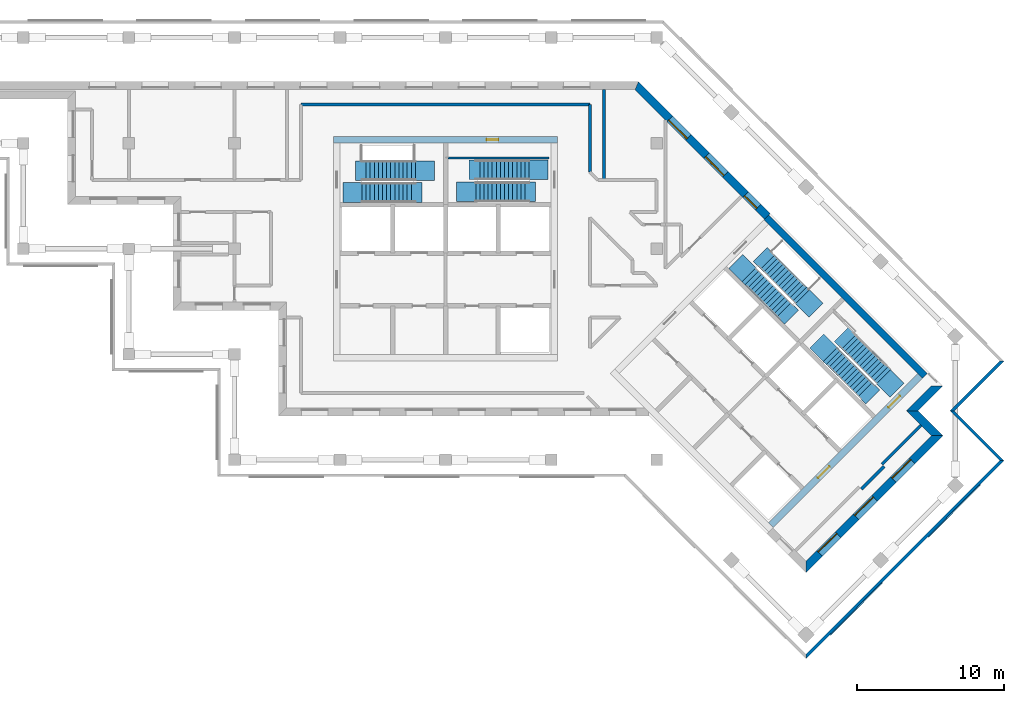
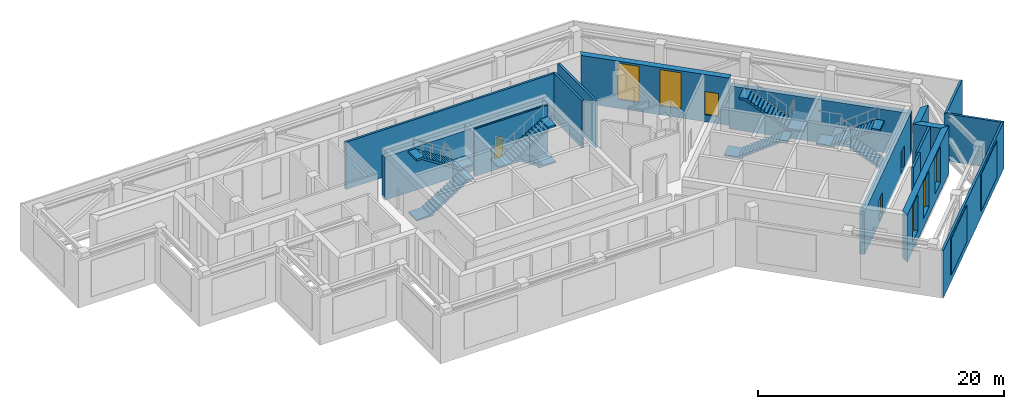
# One storey, part 6 of 9: 16 walls, 8 stair flights, 6 windows, 3 doors, 2 plates, 9 openings, 4 elements without a shape of their own.
"""IFC4 building model written with IfcOpenShell, lengths in metres."""

from ifc_helpers import new_model, si_unit, direction, frame, frame_2d, origin, place, context, subcontext, project, spatial, polyline, rectangle, outline, extrude, material, layer, layer_set, type_object, element, fill, aggregate, save


model = new_model("IFC4")

# Units and contexts
model_context = context("Model", 3, precision=1e-05, world=origin(), true_north=direction((0.0, 1.0)))
body_context = subcontext(model_context, "Body", "Model", "MODEL_VIEW")
ifc_project = project(units=[si_unit("LENGTHUNIT", "METRE"), si_unit("AREAUNIT", "SQUARE_METRE"), si_unit("VOLUMEUNIT", "CUBIC_METRE"), si_unit("PLANEANGLEUNIT", "RADIAN"), si_unit("MASSUNIT", "GRAM", prefix="KILO")], contexts=[model_context])

# Plate
ifc_material_1 = material(Name="Aluminium louvre", Category="aluminium")
ifc_layer_1 = layer(ifc_material_1, 0.05)
ifc_layer_set_1 = layer_set([ifc_layer_1], Name="Belt louvre panel 5000x3600")
plate_type = type_object("IfcPlateType", Name="Belt louvre panel 5000x3600", PredefinedType="SHEET", material=ifc_layer_set_1)
site_placement = place(None, origin())
building_placement = place(site_placement, origin())
storey_placement = place(building_placement, frame((0.0, 0.0, 234.6)))
plate_1_placement = place(storey_placement, frame((91.0617, 31.253, 0.75), z_axis=(0.7070967812, -0.7071167811, 0.0), x_axis=(0.7071167811, 0.7070967812, 0.0)))
plate_1 = element("IfcPlate", 1, at=plate_1_placement, type_object=plate_type, Name="Belt louvre panel L64 76.1", PredefinedType="SHEET", context=body_context, shape_type="SweptSolid", body=[
    extrude(outline(polyline([(0.0, 0.0), (5.0, 0.0), (5.0, 3.6), (0.0, 3.6), (0.0, 0.0)])), origin(), (0.0, 0.0, -1.0), 0.05),
])

plate_2_placement = place(storey_placement, frame((97.7439, 37.9351, 0.75), z_axis=(0.7071167811, -0.7070967812, 0.0), x_axis=(0.7070967812, 0.7071167811, 0.0)))
plate_2 = element("IfcPlate", 2, at=plate_2_placement, type_object=plate_type, Name="Belt louvre panel L64 77.2", PredefinedType="SHEET", context=body_context, shape_type="SweptSolid", body=[
    extrude(outline(polyline([(0.0, 0.0), (5.0, 0.0), (5.0, 3.6), (0.0, 3.6), (0.0, 0.0)])), origin(), (0.0, 0.0, -1.0), 0.05),
])

# Site, building, storey
site = spatial("IfcSite", under=ifc_project, at=site_placement, CompositionType="ELEMENT")
building = spatial("IfcBuilding", under=site, at=building_placement, Name="Windrow Commons", CompositionType="ELEMENT")
storey = spatial("IfcBuildingStorey", under=building, at=storey_placement, Name="L64", CompositionType="ELEMENT", Elevation=234.6)

# Walls
ifc_material_2 = material(Name="Concrete C40/50 precast screen panel", Category="concrete")
ifc_layer_2 = layer(ifc_material_2, 0.2)
ifc_layer_set_2 = layer_set([ifc_layer_2], Name="Belt screen wall 200")
wall_type_1 = type_object("IfcWallType", Name="Belt screen wall 200", PredefinedType="SOLIDWALL", material=ifc_layer_set_2)
wall_1_placement = place(storey_placement, frame((102.7467, 43.15, 0.0), z_axis=(0.0, 0.0, 1.0), x_axis=(-0.7071067812, 0.7071067812, 0.0)))
element("IfcWall", 3, at=wall_1_placement, inside=storey, type_object=wall_type_1, Name="Belt screen wall L64 2", PredefinedType="SOLIDWALL", context=body_context, shape_type="SweptSolid", body=[
    extrude(outline(polyline([(-0.1, -0.1), (4.7, -0.1), (4.9, 0.1), (0.1, 0.1), (-0.1, -0.1)])), origin(), (0.0, 0.0, 1.0), 4.7),
])
wall_2_placement = place(storey_placement, frame((99.3525, 46.5442, 0.0), z_axis=(0.0, 0.0, 1.0), x_axis=(0.7071171977, 0.7070963646, 0.0)))
element("IfcWall", 4, at=wall_2_placement, inside=storey, type_object=wall_type_1, Name="Belt screen wall L64 4", PredefinedType="SOLIDWALL", context=body_context, shape_type="SweptSolid", body=[
    extrude(outline(polyline([(0.1, -0.1), (4.9, -0.1), (4.7, 0.1), (-0.1, 0.1), (0.1, -0.1)])), origin(), (0.0, 0.0, 1.0), 4.7),
])

# Wall
wall_3_placement = place(storey_placement, frame((89.3823, 29.7857, 0.0), z_axis=(0.0, 0.0, 1.0), x_axis=(0.7071094267, 0.7071041357, 0.0)))
wall_3 = element("IfcWall", 5, at=wall_3_placement, inside=storey, type_object=wall_type_1, Name="Belt screen wall L64 76", PredefinedType="SOLIDWALL", context=body_context, shape_type="SweptSolid", body=[
    extrude(outline(polyline([(-0.1, -0.1), (19.0, -0.1), (18.8, 0.1), (0.1, 0.1), (-0.1, -0.1)])), origin(), (0.0, 0.0, 1.0), 4.7),
])

aggregate(wall_3, [plate_1, plate_2])

# Walls
ifc_material_3 = material(Name="Brick masonry, red clay brick", Category="masonry")
ifc_layer_3 = layer(ifc_material_3, 0.55)
ifc_layer_set_3 = layer_set([ifc_layer_3], Name="Brick facade wall 550")
wall_type_2 = type_object("IfcWallType", Name="Brick facade wall 550", PredefinedType="SOLIDWALL", material=ifc_layer_set_3)
wall_4_placement = place(storey_placement, frame((98.3272, 44.8471, 0.0), z_axis=(0.0, 0.0, 1.0), x_axis=(-0.7070859475, 0.7071276143, 0.0)))
element("IfcWall", 6, at=wall_4_placement, inside=storey, type_object=wall_type_2, Name="Brick facade wall L64 1", PredefinedType="SOLIDWALL", context=body_context, shape_type="SweptSolid", body=[
    extrude(outline(polyline([(-0.275, -0.275), (2.125, -0.275), (2.675, 0.275), (0.275, 0.275), (-0.275, -0.275)])), origin(), (0.0, 0.0, 1.0), 4.7),
])
wall_5_placement = place(storey_placement, frame((96.6302, 46.5442, 0.0), z_axis=(0.0, 0.0, 1.0), x_axis=(0.7071067812, 0.7071067812, 0.0)))
element("IfcWall", 7, at=wall_5_placement, inside=storey, type_object=wall_type_2, Name="Brick facade wall L64 2", PredefinedType="SOLIDWALL", context=body_context, shape_type="SweptSolid", body=[
    extrude(outline(polyline([(0.275, -0.275), (2.6749, -0.275), (2.1249, 0.275), (-0.275, 0.275), (0.275, -0.275)])), origin(), (0.0, 0.0, 1.0), 4.7),
])

# Wall, openings, windows
wall_6_placement = place(storey_placement, frame((86.7484, 59.8201, 0.0), z_axis=(0.0, 0.0, 1.0), x_axis=(-0.7071067812, 0.7071067812, 0.0)))
wall_6 = element("IfcWall", 8, at=wall_6_placement, inside=storey, type_object=wall_type_2, Name="Brick facade wall L64 3", PredefinedType="SOLIDWALL", context=body_context, shape_type="SweptSolid", body=[
    extrude(outline(polyline([(0.0, -0.275), (12.7073, -0.275), (12.4795, 0.275), (0.0, 0.275), (0.0, -0.275)])), origin(), (0.0, 0.0, 1.0), 4.7),
])
opening_1_placement = place(wall_6_placement, frame((4.05, 0.0, 0.9)))
opening_1 = element("IfcOpeningElement", 9, at=opening_1_placement, cuts=wall_6, Name="Opening LV2", PredefinedType="OPENING", context=body_context, shape_type="SweptSolid", body=[
    extrude(rectangle(XDim=1.8, YDim=3.6, at=frame_2d((0.9, 1.8))), frame((0.0, 0.285, 0.0), z_axis=(0.0, -1.0, 0.0), x_axis=(1.0, 0.0, 0.0)), (0.0, 0.0, 1.0), 0.57),
])
opening_2_placement = place(wall_6_placement, frame((7.6, 0.0, 0.9)))
opening_2 = element("IfcOpeningElement", 10, at=opening_2_placement, cuts=wall_6, Name="Opening LV2", PredefinedType="OPENING", context=body_context, shape_type="SweptSolid", body=[
    extrude(rectangle(XDim=1.8, YDim=3.6, at=frame_2d((0.9, 1.8))), frame((0.0, 0.285, 0.0), z_axis=(0.0, -1.0, 0.0), x_axis=(1.0, 0.0, 0.0)), (0.0, 0.0, 1.0), 0.57),
])
opening_3_placement = place(wall_6_placement, frame((0.8881, 0.0, 0.7)))
opening_3 = element("IfcOpeningElement", 11, at=opening_3_placement, cuts=wall_6, Name="Opening W7C", PredefinedType="OPENING", context=body_context, shape_type="SweptSolid", body=[
    extrude(rectangle(XDim=1.2, YDim=2.3, at=frame_2d((0.6, 1.15))), frame((0.0, 0.285, 0.0), z_axis=(0.0, -1.0, 0.0), x_axis=(1.0, 0.0, 0.0)), (0.0, 0.0, 1.0), 0.57),
])
ifc_material_4 = material(Name="Aluminium 6063-T6 anodised louvre", Category="aluminium")
window_type_1 = type_object("IfcWindowType", Name="Plant louvre 1800x3600", PartitioningType="SINGLE_PANEL", PredefinedType="WINDOW", material=ifc_material_4)
window_1_placement = place(opening_1_placement, origin())
window_1 = element("IfcWindow", 12, at=window_1_placement, inside=storey, type_object=window_type_1, Name="Louvre L64 3.2", OverallHeight=3.6, OverallWidth=1.8, PartitioningType="SINGLE_PANEL", PredefinedType="WINDOW", context=body_context, shape_type="SweptSolid", body=[
    extrude(rectangle(XDim=1.8, YDim=3.6, at=frame_2d((0.9, 1.8))), frame((0.0, 0.155, 0.0), z_axis=(0.0, -1.0, 0.0), x_axis=(1.0, 0.0, 0.0)), (0.0, 0.0, 1.0), 0.06),
])
fill(opening_1, window_1)
window_2_placement = place(opening_2_placement, origin())
window_2 = element("IfcWindow", 13, at=window_2_placement, inside=storey, type_object=window_type_1, Name="Louvre L64 3.3", OverallHeight=3.6, OverallWidth=1.8, PartitioningType="SINGLE_PANEL", PredefinedType="WINDOW", context=body_context, shape_type="SweptSolid", body=[
    extrude(rectangle(XDim=1.8, YDim=3.6, at=frame_2d((0.9, 1.8))), frame((0.0, 0.155, 0.0), z_axis=(0.0, -1.0, 0.0), x_axis=(1.0, 0.0, 0.0)), (0.0, 0.0, 1.0), 0.06),
])
fill(opening_2, window_2)
ifc_material_5 = material(Name="Clear float glass in anodised aluminium frame", Category="aluminium")
window_type_2 = type_object("IfcWindowType", Name="Window W7 notch 1200x2300", PartitioningType="SINGLE_PANEL", PredefinedType="WINDOW", material=ifc_material_5)
window_3_placement = place(opening_3_placement, origin())
window_3 = element("IfcWindow", 14, at=window_3_placement, inside=storey, type_object=window_type_2, Name="Louvre L64 3.1A", OverallHeight=2.3, OverallWidth=1.2, PartitioningType="SINGLE_PANEL", PredefinedType="WINDOW", context=body_context, shape_type="SweptSolid", body=[
    extrude(rectangle(XDim=1.2, YDim=2.3, at=frame_2d((0.6, 1.15))), frame((0.0, 0.155, 0.0), z_axis=(0.0, -1.0, 0.0), x_axis=(1.0, 0.0, 0.0)), (0.0, 0.0, 1.0), 0.06),
])
fill(opening_3, window_3)

wall_7_placement = place(storey_placement, frame((89.3823, 35.9022, 0.0), z_axis=(0.0, 0.0, 1.0), x_axis=(0.7071067812, 0.7071067812, 0.0)))
wall_7 = element("IfcWall", 15, at=wall_7_placement, inside=storey, type_object=wall_type_2, Name="Brick facade wall L64 14", PredefinedType="SOLIDWALL", context=body_context, shape_type="SweptSolid", body=[
    extrude(outline(polyline([(-0.275, -0.275), (12.925, -0.275), (12.375, 0.275), (0.275, 0.275), (-0.275, -0.275)])), origin(), (0.0, 0.0, 1.0), 4.7),
])
opening_4_placement = place(wall_7_placement, frame((1.3, 0.0, 0.9)))
opening_4 = element("IfcOpeningElement", 16, at=opening_4_placement, cuts=wall_7, Name="Opening LV2", PredefinedType="OPENING", context=body_context, shape_type="SweptSolid", body=[
    extrude(rectangle(XDim=1.8, YDim=3.6, at=frame_2d((0.9, 1.8))), frame((0.0, 0.285, 0.0), z_axis=(0.0, -1.0, 0.0), x_axis=(1.0, 0.0, 0.0)), (0.0, 0.0, 1.0), 0.57),
])
opening_5_placement = place(wall_7_placement, frame((4.825, 0.0, 0.9)))
opening_5 = element("IfcOpeningElement", 17, at=opening_5_placement, cuts=wall_7, Name="Opening LV2", PredefinedType="OPENING", context=body_context, shape_type="SweptSolid", body=[
    extrude(rectangle(XDim=1.8, YDim=3.6, at=frame_2d((0.9, 1.8))), frame((0.0, 0.285, 0.0), z_axis=(0.0, -1.0, 0.0), x_axis=(1.0, 0.0, 0.0)), (0.0, 0.0, 1.0), 0.57),
])
opening_6_placement = place(wall_7_placement, frame((8.425, 0.0, 0.9)))
opening_6 = element("IfcOpeningElement", 18, at=opening_6_placement, cuts=wall_7, Name="Opening LV2", PredefinedType="OPENING", context=body_context, shape_type="SweptSolid", body=[
    extrude(rectangle(XDim=1.8, YDim=3.6, at=frame_2d((0.9, 1.8))), frame((0.0, 0.285, 0.0), z_axis=(0.0, -1.0, 0.0), x_axis=(1.0, 0.0, 0.0)), (0.0, 0.0, 1.0), 0.57),
])
window_4_placement = place(opening_4_placement, origin())
window_4 = element("IfcWindow", 19, at=window_4_placement, inside=storey, type_object=window_type_1, Name="Louvre L64 14.1", OverallHeight=3.6, OverallWidth=1.8, PartitioningType="SINGLE_PANEL", PredefinedType="WINDOW", context=body_context, shape_type="SweptSolid", body=[
    extrude(rectangle(XDim=1.8, YDim=3.6, at=frame_2d((0.9, 1.8))), frame((0.0, 0.155, 0.0), z_axis=(0.0, -1.0, 0.0), x_axis=(1.0, 0.0, 0.0)), (0.0, 0.0, 1.0), 0.06),
])
fill(opening_4, window_4)
window_5_placement = place(opening_5_placement, origin())
window_5 = element("IfcWindow", 20, at=window_5_placement, inside=storey, type_object=window_type_1, Name="Louvre L64 14.2", OverallHeight=3.6, OverallWidth=1.8, PartitioningType="SINGLE_PANEL", PredefinedType="WINDOW", context=body_context, shape_type="SweptSolid", body=[
    extrude(rectangle(XDim=1.8, YDim=3.6, at=frame_2d((0.9, 1.8))), frame((0.0, 0.155, 0.0), z_axis=(0.0, -1.0, 0.0), x_axis=(1.0, 0.0, 0.0)), (0.0, 0.0, 1.0), 0.06),
])
fill(opening_5, window_5)
window_6_placement = place(opening_6_placement, origin())
window_6 = element("IfcWindow", 21, at=window_6_placement, inside=storey, type_object=window_type_1, Name="Louvre L64 14.3", OverallHeight=3.6, OverallWidth=1.8, PartitioningType="SINGLE_PANEL", PredefinedType="WINDOW", context=body_context, shape_type="SweptSolid", body=[
    extrude(rectangle(XDim=1.8, YDim=3.6, at=frame_2d((0.9, 1.8))), frame((0.0, 0.155, 0.0), z_axis=(0.0, -1.0, 0.0), x_axis=(1.0, 0.0, 0.0)), (0.0, 0.0, 1.0), 0.06),
])
fill(opening_6, window_6)

# Walls
ifc_material_6 = material(Name="Blockwork partition", Category="masonry")
ifc_layer_4 = layer(ifc_material_6, 0.2)
ifc_layer_set_4 = layer_set([ifc_layer_4], Name="IW-CORRIDOR-200")
wall_type_3 = type_object("IfcWallType", Name="IW-CORRIDOR-200", PredefinedType="PARTITIONING", material=ifc_layer_set_4)
wall_8_placement = place(storey_placement, frame((54.95, 67.45, 0.0), z_axis=(0.0, 0.0, 1.0), x_axis=(1.0, 0.0, 0.0)))
element("IfcWall", 22, at=wall_8_placement, inside=storey, type_object=wall_type_3, Name="W-L64-W000", PredefinedType="PARTITIONING", context=body_context, shape_type="SweptSolid", body=[
    extrude(rectangle(XDim=19.7, YDim=0.2, at=frame_2d((9.85, 0.0))), origin(), (0.0, 0.0, 1.0), 4.7),
])
wall_9_placement = place(storey_placement, frame((74.65, 62.832, 0.0), z_axis=(0.0, 0.0, 1.0), x_axis=(0.0, 1.0, 0.0)))
element("IfcWall", 23, at=wall_9_placement, inside=storey, type_object=wall_type_3, Name="W-L64-W013", PredefinedType="PARTITIONING", context=body_context, shape_type="SweptSolid", body=[
    extrude(rectangle(XDim=4.618, YDim=0.2, at=frame_2d((2.309, 0.0))), origin(), (0.0, 0.0, 1.0), 4.7),
])
wall_10_placement = place(storey_placement, frame((94.5779, 42.9061, 0.0), z_axis=(0.0, 0.0, 1.0), x_axis=(0.7073734931, 0.7068399686, 0.0)))
element("IfcWall", 24, at=wall_10_placement, inside=storey, type_object=wall_type_3, Name="W-L64-W017", PredefinedType="PARTITIONING", context=body_context, shape_type="SweptSolid", body=[
    extrude(rectangle(XDim=3.7487, YDim=0.2, at=frame_2d((1.8743, 0.0))), origin(), (0.0, 0.0, 1.0), 4.7),
])
wall_11_placement = place(storey_placement, frame((93.1643, 41.2077, 0.0), z_axis=(0.0, 0.0, 1.0), x_axis=(0.706651904, 0.7075613659, 0.0)))
element("IfcWall", 25, at=wall_11_placement, inside=storey, type_object=wall_type_3, Name="W-L64-W026", PredefinedType="PARTITIONING", context=body_context, shape_type="SweptSolid", body=[
    extrude(rectangle(XDim=2.1991, YDim=0.2, at=frame_2d((1.0996, 0.0))), origin(), (0.0, 0.0, 1.0), 4.7),
])
ifc_material_7 = material(Name="Blockwork partition", Category="masonry")
ifc_layer_5 = layer(ifc_material_7, 0.2)
ifc_layer_set_5 = layer_set([ifc_layer_5], Name="IW-PARTY-200")
wall_type_4 = type_object("IfcWallType", Name="IW-PARTY-200", PredefinedType="PARTITIONING", material=ifc_layer_set_5)
wall_12_placement = place(storey_placement, frame((75.6, 62.3, 0.0), z_axis=(0.0, 0.0, 1.0), x_axis=(0.0, 1.0, 0.0)))
element("IfcWall", 26, at=wall_12_placement, inside=storey, type_object=wall_type_4, Name="W-L64-W006", PredefinedType="PARTITIONING", context=body_context, shape_type="SweptSolid", body=[
    extrude(rectangle(XDim=6.15, YDim=0.2, at=frame_2d((3.075, 0.0))), origin(), (0.0, 0.0, 1.0), 4.7),
])

# Wall, opening, door
ifc_material_8 = material(Name="Concrete C40/50", Category="concrete")
ifc_layer_6 = layer(ifc_material_8, 0.45)
ifc_layer_set_6 = layer_set([ifc_layer_6], Name="RC CORE WALL 450 C40/50")
wall_type_5 = type_object("IfcWallType", Name="RC CORE WALL 450 C40/50", PredefinedType="SHEAR", material=ifc_layer_set_6)
wall_13_placement = place(storey_placement, frame((57.15, 65.025, -0.3), z_axis=(0.0, 0.0, 1.0), x_axis=(1.0, 0.0, 0.0)))
wall_13 = element("IfcWall", 27, at=wall_13_placement, inside=storey, type_object=wall_type_5, Name="Core A wall outer-N", PredefinedType="SHEAR", context=body_context, shape_type="SweptSolid", body=[
    extrude(rectangle(XDim=15.3, YDim=0.45, at=frame_2d((7.65, 0.0))), origin(), (0.0, 0.0, 1.0), 4.3),
])
opening_7_placement = place(wall_13_placement, frame((10.45, 0.0, 0.3)))
opening_7 = element("IfcOpeningElement", 28, at=opening_7_placement, cuts=wall_13, Name="Opening D9", PredefinedType="OPENING", context=body_context, shape_type="SweptSolid", body=[
    extrude(rectangle(XDim=0.8, YDim=2.1, at=frame_2d((0.4, 1.05))), frame((0.0, 0.235, 0.0), z_axis=(0.0, -1.0, 0.0), x_axis=(1.0, 0.0, 0.0)), (0.0, 0.0, 1.0), 0.47),
])
ifc_material_9 = material(Name="Steel fire door leaf", Category="steel")
door_type_1 = type_object("IfcDoorType", Name="Riser access door 800", OperationType="SINGLE_SWING_LEFT", PredefinedType="DOOR", material=ifc_material_9)
door_1_placement = place(opening_7_placement, origin())
door_1 = element("IfcDoor", 29, at=door_1_placement, inside=storey, type_object=door_type_1, Name="Riser access door", OperationType="SINGLE_SWING_RIGHT", OverallHeight=2.1, OverallWidth=0.8, PredefinedType="DOOR", context=body_context, shape_type="SweptSolid", body=[
    extrude(rectangle(XDim=0.8, YDim=2.1, at=frame_2d((0.4, 1.05))), frame((0.0, 0.025, 0.0), z_axis=(0.0, -1.0, 0.0), x_axis=(1.0, 0.0, 0.0)), (0.0, 0.0, 1.0), 0.05),
])
fill(opening_7, door_1)

# Wall
wall_14_placement = place(storey_placement, frame((86.6777, 59.7494, -0.3), z_axis=(0.0, 0.0, 1.0), x_axis=(0.7071035132, -0.7071100491, 0.0)))
element("IfcWall", 30, at=wall_14_placement, inside=storey, type_object=wall_type_5, Name="Core B wall outer-N", PredefinedType="SHEAR", context=body_context, shape_type="SweptSolid", body=[
    extrude(rectangle(XDim=15.3, YDim=0.45, at=frame_2d((7.65, 0.0))), origin(), (0.0, 0.0, 1.0), 4.3),
])

# Wall, openings, doors
wall_15_placement = place(storey_placement, frame((86.9959, 38.7483, -0.3), z_axis=(0.0, 0.0, 1.0), x_axis=(0.7071067812, 0.7071067812, 0.0)))
wall_15 = element("IfcWall", 31, at=wall_15_placement, inside=storey, type_object=wall_type_5, Name="Core B wall outer-E", PredefinedType="SHEAR", context=body_context, shape_type="SweptSolid", body=[
    extrude(rectangle(XDim=14.3999, YDim=0.45, at=frame_2d((7.2, 0.0))), origin(), (0.0, 0.0, 1.0), 4.3),
])
opening_8_placement = place(wall_15_placement, frame((4.55, 0.0, 0.3)))
opening_8 = element("IfcOpeningElement", 32, at=opening_8_placement, cuts=wall_15, Name="Opening D6", PredefinedType="OPENING", context=body_context, shape_type="SweptSolid", body=[
    extrude(rectangle(XDim=1.1, YDim=2.1, at=frame_2d((0.55, 1.05))), frame((0.0, 0.235, 0.0), z_axis=(0.0, -1.0, 0.0), x_axis=(1.0, 0.0, 0.0)), (0.0, 0.0, 1.0), 0.47),
])
opening_9_placement = place(wall_15_placement, frame((11.35, 0.0, 0.3)))
opening_9 = element("IfcOpeningElement", 33, at=opening_9_placement, cuts=wall_15, Name="Opening D7", PredefinedType="OPENING", context=body_context, shape_type="SweptSolid", body=[
    extrude(rectangle(XDim=1.1, YDim=2.1, at=frame_2d((0.55, 1.05))), frame((0.0, 0.235, 0.0), z_axis=(0.0, -1.0, 0.0), x_axis=(1.0, 0.0, 0.0)), (0.0, 0.0, 1.0), 0.47),
])
ifc_material_10 = material(Name="Steel fire door leaf", Category="steel")
door_type_2 = type_object("IfcDoorType", Name="Core lobby door 1100", OperationType="SINGLE_SWING_LEFT", PredefinedType="DOOR", material=ifc_material_10)
door_2_placement = place(opening_8_placement, origin())
door_2 = element("IfcDoor", 34, at=door_2_placement, inside=storey, type_object=door_type_2, Name="Lift lobby door", OperationType="DOUBLE_DOOR_SINGLE_SWING", OverallHeight=2.1, OverallWidth=1.1, PredefinedType="DOOR", context=body_context, shape_type="SweptSolid", body=[
    extrude(rectangle(XDim=1.1, YDim=2.1, at=frame_2d((0.55, 1.05))), frame((0.0, 0.025, 0.0), z_axis=(0.0, -1.0, 0.0), x_axis=(1.0, 0.0, 0.0)), (0.0, 0.0, 1.0), 0.05),
])
fill(opening_8, door_2)
ifc_material_11 = material(Name="Steel fire door leaf", Category="steel")
door_type_3 = type_object("IfcDoorType", Name="Stair door 1100", OperationType="SINGLE_SWING_LEFT", PredefinedType="DOOR", material=ifc_material_11)
door_3_placement = place(opening_9_placement, origin())
door_3 = element("IfcDoor", 35, at=door_3_placement, inside=storey, type_object=door_type_3, Name="Stair door", OperationType="SINGLE_SWING_RIGHT", OverallHeight=2.1, OverallWidth=1.1, PredefinedType="DOOR", context=body_context, shape_type="SweptSolid", body=[
    extrude(rectangle(XDim=1.1, YDim=2.1, at=frame_2d((0.55, 1.05))), frame((0.0, 0.025, 0.0), z_axis=(0.0, -1.0, 0.0), x_axis=(1.0, 0.0, 0.0)), (0.0, 0.0, 1.0), 0.05),
])
fill(opening_9, door_3)

# Wall
ifc_material_12 = material(Name="Blockwork partition", Category="masonry")
ifc_layer_7 = layer(ifc_material_12, 0.15)
ifc_layer_set_7 = layer_set([ifc_layer_7], Name="Riser partition 150")
wall_type_6 = type_object("IfcWallType", Name="Riser partition 150", PredefinedType="PARTITIONING", material=ifc_layer_set_7)
wall_16_placement = place(storey_placement, frame((64.95, 63.78, 0.0), z_axis=(0.0, 0.0, 1.0), x_axis=(1.0, 0.0, 0.0)))
element("IfcWall", 36, at=wall_16_placement, inside=storey, type_object=wall_type_6, Name="W-core-strip-A-L64", PredefinedType="PARTITIONING", context=body_context, shape_type="SweptSolid", body=[
    extrude(rectangle(XDim=6.9, YDim=0.15, at=frame_2d((3.45, 0.0))), origin(), (0.0, 0.0, 1.0), 4.7),
])

# Stair, stair flights
ifc_material_13 = material(Name="Concrete C40/50", Category="concrete")
stair_type = type_object("IfcStairType", Name="Core stair", PredefinedType="HALF_TURN_STAIR", material=ifc_material_13)
placement = place(storey_placement, origin())
stair_1 = element("IfcStair", 37, at=placement, inside=storey, type_object=stair_type, Name="L64 Exit stair A1 core A", PredefinedType="HALF_TURN_STAIR")
ifc_material_14 = material(Name="Concrete C40/50", Category="concrete")
stair_flight_type = type_object("IfcStairFlightType", Name="Core stair flight", PredefinedType="STRAIGHT", material=ifc_material_14)
stair_flight_1_placement = place(storey_placement, frame((59.1, 61.425, 0.0), z_axis=(0.0, 0.0, 1.0), x_axis=(1.0, 0.0, 0.0)))
stair_flight_1 = element("IfcStairFlight", 38, at=stair_flight_1_placement, type_object=stair_flight_type, Name="ST-A1 flight 1", NumberOfRisers=14, NumberOfTreads=13, PredefinedType="STRAIGHT", RiserHeight=0.178571429, TreadLength=0.28, context=body_context, shape_type="SweptSolid", body=[
    extrude(outline(polyline([(-1.3, -0.15), (-1.3, 0.0), (0.0, 0.0), (0.0, 0.1786), (0.28, 0.1786), (0.28, 0.3571), (0.56, 0.3571), (0.56, 0.5357), (0.84, 0.5357), (0.84, 0.7143), (1.12, 0.7143), (1.12, 0.8929), (1.4, 0.8929), (1.4, 1.0714), (1.68, 1.0714), (1.68, 1.25), (1.96, 1.25), (1.96, 1.4286), (2.24, 1.4286), (2.24, 1.6071), (2.52, 1.6071), (2.52, 1.7857), (2.8, 1.7857), (2.8, 1.9643), (3.08, 1.9643), (3.08, 2.1429), (3.36, 2.1429), (3.36, 2.3214), (3.64, 2.3214), (4.09, 2.3214), (4.09, 2.1214), (3.64, 2.1214), (3.64, 2.1435), (0.279, 0.0), (0.279, -0.15), (-1.3, -0.15)])), frame((0.0, 0.675, 0.0), z_axis=(0.0, -1.0, 0.0), x_axis=(1.0, 0.0, 0.0)), (0.0, 0.0, 1.0), 1.35),
])
stair_flight_2_placement = place(storey_placement, frame((62.74, 62.925, 2.5), z_axis=(0.0, 0.0, 1.0), x_axis=(-1.0, 0.0, 0.0)))
stair_flight_2 = element("IfcStairFlight", 39, at=stair_flight_2_placement, type_object=stair_flight_type, Name="ST-A1 flight 2", NumberOfRisers=14, NumberOfTreads=13, PredefinedType="STRAIGHT", RiserHeight=0.178571429, TreadLength=0.28, context=body_context, shape_type="SweptSolid", body=[
    extrude(outline(polyline([(-1.3, -0.15), (-1.3, 0.0), (0.0, 0.0), (0.0, 0.1786), (0.28, 0.1786), (0.28, 0.3571), (0.56, 0.3571), (0.56, 0.5357), (0.84, 0.5357), (0.84, 0.7143), (1.12, 0.7143), (1.12, 0.8929), (1.4, 0.8929), (1.4, 1.0714), (1.68, 1.0714), (1.68, 1.25), (1.96, 1.25), (1.96, 1.4286), (2.24, 1.4286), (2.24, 1.6071), (2.52, 1.6071), (2.52, 1.7857), (2.8, 1.7857), (2.8, 1.9643), (3.08, 1.9643), (3.08, 2.1429), (3.36, 2.1429), (3.36, 2.3214), (3.64, 2.3214), (4.09, 2.3214), (4.09, 2.1214), (3.64, 2.1214), (3.64, 2.1435), (0.279, 0.0), (0.279, -0.15), (-1.3, -0.15)])), frame((0.0, 0.675, 0.0), z_axis=(0.0, -1.0, 0.0), x_axis=(1.0, 0.0, 0.0)), (0.0, 0.0, 1.0), 1.35),
])
aggregate(stair_1, [stair_flight_1, stair_flight_2])

stair_2 = element("IfcStair", 40, at=placement, inside=storey, type_object=stair_type, Name="L64 Exit stair A2 core A", PredefinedType="HALF_TURN_STAIR")
stair_flight_3_placement = place(storey_placement, frame((70.5, 62.98, 0.0), z_axis=(0.0, 0.0, 1.0), x_axis=(-1.0, 0.0, 0.0)))
stair_flight_3 = element("IfcStairFlight", 41, at=stair_flight_3_placement, type_object=stair_flight_type, Name="ST-A2 flight 1", NumberOfRisers=14, NumberOfTreads=13, PredefinedType="STRAIGHT", RiserHeight=0.178571429, TreadLength=0.28, context=body_context, shape_type="SweptSolid", body=[
    extrude(outline(polyline([(-1.3, -0.15), (-1.3, 0.0), (0.0, 0.0), (0.0, 0.1786), (0.28, 0.1786), (0.28, 0.3571), (0.56, 0.3571), (0.56, 0.5357), (0.84, 0.5357), (0.84, 0.7143), (1.12, 0.7143), (1.12, 0.8929), (1.4, 0.8929), (1.4, 1.0714), (1.68, 1.0714), (1.68, 1.25), (1.96, 1.25), (1.96, 1.4286), (2.24, 1.4286), (2.24, 1.6071), (2.52, 1.6071), (2.52, 1.7857), (2.8, 1.7857), (2.8, 1.9643), (3.08, 1.9643), (3.08, 2.1429), (3.36, 2.1429), (3.36, 2.3214), (3.64, 2.3214), (4.09, 2.3214), (4.09, 2.1214), (3.64, 2.1214), (3.64, 2.1435), (0.279, 0.0), (0.279, -0.15), (-1.3, -0.15)])), frame((0.0, 0.675, 0.0), z_axis=(0.0, -1.0, 0.0), x_axis=(1.0, 0.0, 0.0)), (0.0, 0.0, 1.0), 1.35),
])
stair_flight_4_placement = place(storey_placement, frame((66.86, 61.48, 2.5), z_axis=(0.0, 0.0, 1.0), x_axis=(1.0, 0.0, 0.0)))
stair_flight_4 = element("IfcStairFlight", 42, at=stair_flight_4_placement, type_object=stair_flight_type, Name="ST-A2 flight 2", NumberOfRisers=14, NumberOfTreads=13, PredefinedType="STRAIGHT", RiserHeight=0.178571429, TreadLength=0.28, context=body_context, shape_type="SweptSolid", body=[
    extrude(outline(polyline([(-1.3, -0.15), (-1.3, 0.0), (0.0, 0.0), (0.0, 0.1786), (0.28, 0.1786), (0.28, 0.3571), (0.56, 0.3571), (0.56, 0.5357), (0.84, 0.5357), (0.84, 0.7143), (1.12, 0.7143), (1.12, 0.8929), (1.4, 0.8929), (1.4, 1.0714), (1.68, 1.0714), (1.68, 1.25), (1.96, 1.25), (1.96, 1.4286), (2.24, 1.4286), (2.24, 1.6071), (2.52, 1.6071), (2.52, 1.7857), (2.8, 1.7857), (2.8, 1.9643), (3.08, 1.9643), (3.08, 2.1429), (3.36, 2.1429), (3.36, 2.3214), (3.64, 2.3214), (4.09, 2.3214), (4.09, 2.1214), (3.64, 2.1214), (3.64, 2.1435), (0.279, 0.0), (0.279, -0.15), (-1.3, -0.15)])), frame((0.0, 0.675, 0.0), z_axis=(0.0, -1.0, 0.0), x_axis=(1.0, 0.0, 0.0)), (0.0, 0.0, 1.0), 1.35),
])
aggregate(stair_2, [stair_flight_3, stair_flight_4])

stair_3 = element("IfcStair", 43, at=placement, inside=storey, type_object=stair_type, Name="L64 Exit stair B1 core B", PredefinedType="HALF_TURN_STAIR")
stair_flight_5_placement = place(storey_placement, frame((85.5109, 55.8249, 0.0), z_axis=(0.0, 0.0, 1.0), x_axis=(0.7071067812, -0.7071067812, 0.0)))
stair_flight_5 = element("IfcStairFlight", 44, at=stair_flight_5_placement, type_object=stair_flight_type, Name="ST-B1 flight 1", NumberOfRisers=14, NumberOfTreads=13, PredefinedType="STRAIGHT", RiserHeight=0.178571429, TreadLength=0.28, context=body_context, shape_type="SweptSolid", body=[
    extrude(outline(polyline([(-1.3, -0.15), (-1.3, 0.0), (0.0, 0.0), (0.0, 0.1786), (0.28, 0.1786), (0.28, 0.3571), (0.56, 0.3571), (0.56, 0.5357), (0.84, 0.5357), (0.84, 0.7143), (1.12, 0.7143), (1.12, 0.8929), (1.4, 0.8929), (1.4, 1.0714), (1.68, 1.0714), (1.68, 1.25), (1.96, 1.25), (1.96, 1.4286), (2.24, 1.4286), (2.24, 1.6071), (2.52, 1.6071), (2.52, 1.7857), (2.8, 1.7857), (2.8, 1.9643), (3.08, 1.9643), (3.08, 2.1429), (3.36, 2.1429), (3.36, 2.3214), (3.64, 2.3214), (4.09, 2.3214), (4.09, 2.1214), (3.64, 2.1214), (3.64, 2.1435), (0.279, 0.0), (0.279, -0.15), (-1.3, -0.15)])), frame((0.0, 0.675, 0.0), z_axis=(0.0, -1.0, 0.0), x_axis=(1.0, 0.0, 0.0)), (0.0, 0.0, 1.0), 1.35),
])
stair_flight_6_placement = place(storey_placement, frame((89.1455, 54.3117, 2.5), z_axis=(0.0, 0.0, 1.0), x_axis=(-0.7071067812, 0.7071067812, 0.0)))
stair_flight_6 = element("IfcStairFlight", 45, at=stair_flight_6_placement, type_object=stair_flight_type, Name="ST-B1 flight 2", NumberOfRisers=14, NumberOfTreads=13, PredefinedType="STRAIGHT", RiserHeight=0.178571429, TreadLength=0.28, context=body_context, shape_type="SweptSolid", body=[
    extrude(outline(polyline([(-1.3, -0.15), (-1.3, 0.0), (0.0, 0.0), (0.0, 0.1786), (0.28, 0.1786), (0.28, 0.3571), (0.56, 0.3571), (0.56, 0.5357), (0.84, 0.5357), (0.84, 0.7143), (1.12, 0.7143), (1.12, 0.8929), (1.4, 0.8929), (1.4, 1.0714), (1.68, 1.0714), (1.68, 1.25), (1.96, 1.25), (1.96, 1.4286), (2.24, 1.4286), (2.24, 1.6071), (2.52, 1.6071), (2.52, 1.7857), (2.8, 1.7857), (2.8, 1.9643), (3.08, 1.9643), (3.08, 2.1429), (3.36, 2.1429), (3.36, 2.3214), (3.64, 2.3214), (4.09, 2.3214), (4.09, 2.1214), (3.64, 2.1214), (3.64, 2.1435), (0.279, 0.0), (0.279, -0.15), (-1.3, -0.15)])), frame((0.0, 0.675, 0.0), z_axis=(0.0, -1.0, 0.0), x_axis=(1.0, 0.0, 0.0)), (0.0, 0.0, 1.0), 1.35),
])
aggregate(stair_3, [stair_flight_5, stair_flight_6])

stair_4 = element("IfcStair", 46, at=placement, inside=storey, type_object=stair_type, Name="L64 Exit stair B2 core B", PredefinedType="HALF_TURN_STAIR")
stair_flight_7_placement = place(storey_placement, frame((94.6715, 48.8635, 0.0), z_axis=(0.0, 0.0, 1.0), x_axis=(-0.7071067812, 0.7071067812, 0.0)))
stair_flight_7 = element("IfcStairFlight", 47, at=stair_flight_7_placement, type_object=stair_flight_type, Name="ST-B2 flight 1", NumberOfRisers=14, NumberOfTreads=13, PredefinedType="STRAIGHT", RiserHeight=0.178571429, TreadLength=0.28, context=body_context, shape_type="SweptSolid", body=[
    extrude(outline(polyline([(-1.3, -0.15), (-1.3, 0.0), (0.0, 0.0), (0.0, 0.1786), (0.28, 0.1786), (0.28, 0.3571), (0.56, 0.3571), (0.56, 0.5357), (0.84, 0.5357), (0.84, 0.7143), (1.12, 0.7143), (1.12, 0.8929), (1.4, 0.8929), (1.4, 1.0714), (1.68, 1.0714), (1.68, 1.25), (1.96, 1.25), (1.96, 1.4286), (2.24, 1.4286), (2.24, 1.6071), (2.52, 1.6071), (2.52, 1.7857), (2.8, 1.7857), (2.8, 1.9643), (3.08, 1.9643), (3.08, 2.1429), (3.36, 2.1429), (3.36, 2.3214), (3.64, 2.3214), (4.09, 2.3214), (4.09, 2.1214), (3.64, 2.1214), (3.64, 2.1435), (0.279, 0.0), (0.279, -0.15), (-1.3, -0.15)])), frame((0.0, 0.675, 0.0), z_axis=(0.0, -1.0, 0.0), x_axis=(1.0, 0.0, 0.0)), (0.0, 0.0, 1.0), 1.35),
])
stair_flight_8_placement = place(storey_placement, frame((91.037, 50.3767, 2.5), z_axis=(0.0, 0.0, 1.0), x_axis=(0.7071067812, -0.7071067812, 0.0)))
stair_flight_8 = element("IfcStairFlight", 48, at=stair_flight_8_placement, type_object=stair_flight_type, Name="ST-B2 flight 2", NumberOfRisers=14, NumberOfTreads=13, PredefinedType="STRAIGHT", RiserHeight=0.178571429, TreadLength=0.28, context=body_context, shape_type="SweptSolid", body=[
    extrude(outline(polyline([(-1.3, -0.15), (-1.3, 0.0), (0.0, 0.0), (0.0, 0.1786), (0.28, 0.1786), (0.28, 0.3571), (0.56, 0.3571), (0.56, 0.5357), (0.84, 0.5357), (0.84, 0.7143), (1.12, 0.7143), (1.12, 0.8929), (1.4, 0.8929), (1.4, 1.0714), (1.68, 1.0714), (1.68, 1.25), (1.96, 1.25), (1.96, 1.4286), (2.24, 1.4286), (2.24, 1.6071), (2.52, 1.6071), (2.52, 1.7857), (2.8, 1.7857), (2.8, 1.9643), (3.08, 1.9643), (3.08, 2.1429), (3.36, 2.1429), (3.36, 2.3214), (3.64, 2.3214), (4.09, 2.3214), (4.09, 2.1214), (3.64, 2.1214), (3.64, 2.1435), (0.279, 0.0), (0.279, -0.15), (-1.3, -0.15)])), frame((0.0, 0.675, 0.0), z_axis=(0.0, -1.0, 0.0), x_axis=(1.0, 0.0, 0.0)), (0.0, 0.0, 1.0), 1.35),
])
aggregate(stair_4, [stair_flight_7, stair_flight_8])

save(model, "model.ifc")
